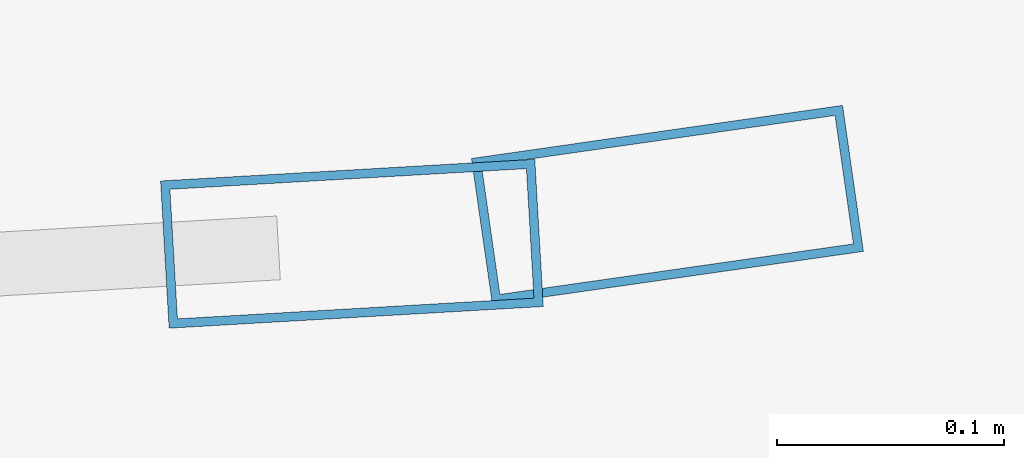
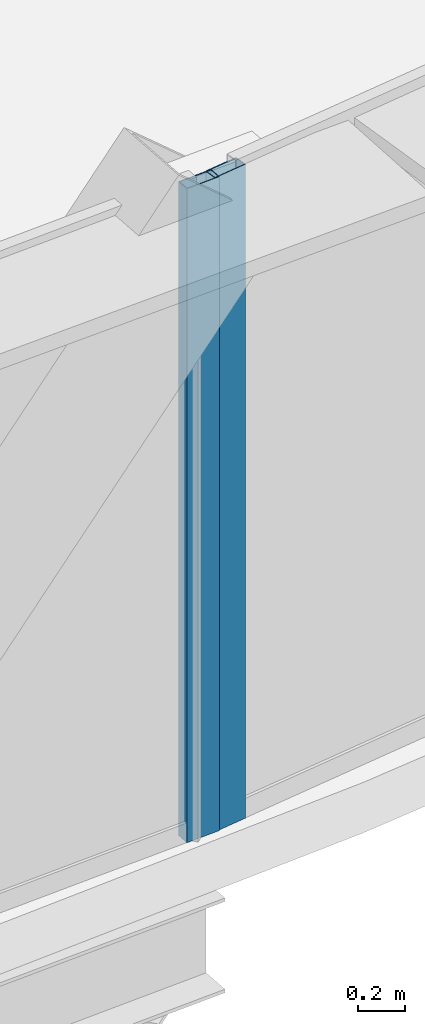
# One storey, part 12 of 42: 2 members, 2 elements without a shape of their own.
"""IFC4 building model written with IfcOpenShell, lengths in metres."""

from ifc_helpers import new_model, si_unit, direction, frame, origin, origin_2d, place, context, subcontext, project, spatial, hollow_rectangle, extrude, source, transform, mapped, material, layer, layer_set, material_profile, profile_set, type_object, element, aggregate, save


model = new_model("IFC4")

# Units and contexts
model_context = context("Model", 3, precision=1e-05, world=origin(), true_north=direction((0.0, 1.0)))
body_context = subcontext(model_context, "Body", "Model", "MODEL_VIEW")
ifc_project = project(units=[si_unit("LENGTHUNIT", "METRE"), si_unit("AREAUNIT", "SQUARE_METRE"), si_unit("VOLUMEUNIT", "CUBIC_METRE"), si_unit("PLANEANGLEUNIT", "RADIAN"), si_unit("MASSUNIT", "GRAM", prefix="KILO"), si_unit("THERMODYNAMICTEMPERATUREUNIT", "KELVIN"), si_unit("POWERUNIT", "WATT")], contexts=[model_context])

# Site, building, storey
site_placement = place(None, origin())
site = spatial("IfcSite", under=ifc_project, at=site_placement, CompositionType="ELEMENT")
building_placement = place(site_placement, origin())
building = spatial("IfcBuilding", under=site, at=building_placement, Name="Yunzhuo Pagoda Commons", CompositionType="ELEMENT")
storey_placement = place(building_placement, frame((0.0, 0.0, 44.919921875)))
storey = spatial("IfcBuildingStorey", under=building, at=storey_placement, Name="L11", CompositionType="ELEMENT", Elevation=44.919921875)

# Curtain wall, member
ifc_material = material(Name="Anodized aluminium 6063-T6", Category="aluminium")
ifc_layer = layer(ifc_material, 0.1650390625)
ifc_layer_set = layer_set([ifc_layer], Name="Anodized aluminium 6063-T6")
curtain_wall_type = type_object("IfcCurtainWallType", Name="CW-LOW Low-Zone Ribbon Curtain Wall", PredefinedType="NOTDEFINED", material=ifc_layer_set)
curtain_wall_1_placement = place(storey_placement, origin())
curtain_wall_1 = element("IfcCurtainWall", 1, at=curtain_wall_1_placement, inside=storey, type_object=curtain_wall_type, Name="L11 curtain wall CW-L11-F1B4", PredefinedType="NOTDEFINED")
ifc_material_profile = material_profile(ifc_material, hollow_rectangle(XDim=0.06494140625, YDim=0.1650390625, WallThickness=0.00390625, at=origin_2d()), Name="Anodized aluminium 6063-T6")
ifc_profile_set = profile_set([ifc_material_profile], Name="Anodized aluminium 6063-T6")
member_type = type_object("IfcMemberType", Name="CW-LOW-M Mullion RHS 165x65x4", PredefinedType="MULLION", material=ifc_profile_set)
shared_shape = source(origin(), body_context, "Body", "SweptSolid", [
    extrude(hollow_rectangle(XDim=0.06494140625, YDim=0.1650390625, WallThickness=0.00390625, at=origin_2d()), origin(), (0.0, 0.0, 1.0), 3.3701171875),
])
member_1_placement = place(storey_placement, frame((66.56787109375, 11.531005859375, 0.0), z_axis=(0.0, 0.0, 1.0), x_axis=(-0.057790687505, 0.998328721633, 0.0)))
member_1 = element("IfcMember", 2, at=member_1_placement, type_object=member_type, Name="CW mullion 2", PredefinedType="MULLION", context=body_context, shape_type="MappedRepresentation", body=[
    mapped(shared_shape, transform((0.0, 0.0, 0.0), scale=1.0)),
])
aggregate(curtain_wall_1, [member_1])

curtain_wall_2_placement = place(storey_placement, origin())
curtain_wall_2 = element("IfcCurtainWall", 3, at=curtain_wall_2_placement, inside=storey, type_object=curtain_wall_type, Name="L11 curtain wall CW-L11-F1B5", PredefinedType="NOTDEFINED")
member_2_placement = place(storey_placement, frame((66.706787109375, 11.548095703125, 0.0), z_axis=(0.0, 0.0, 1.0), x_axis=(-0.141492753346, 0.989939291447, 0.0)))
member_2 = element("IfcMember", 4, at=member_2_placement, type_object=member_type, Name="CW mullion 1", PredefinedType="MULLION", context=body_context, shape_type="MappedRepresentation", body=[
    mapped(shared_shape, transform((0.0, 0.0, 0.0), scale=1.0)),
])
aggregate(curtain_wall_2, [member_2])

save(model, "model.ifc")
